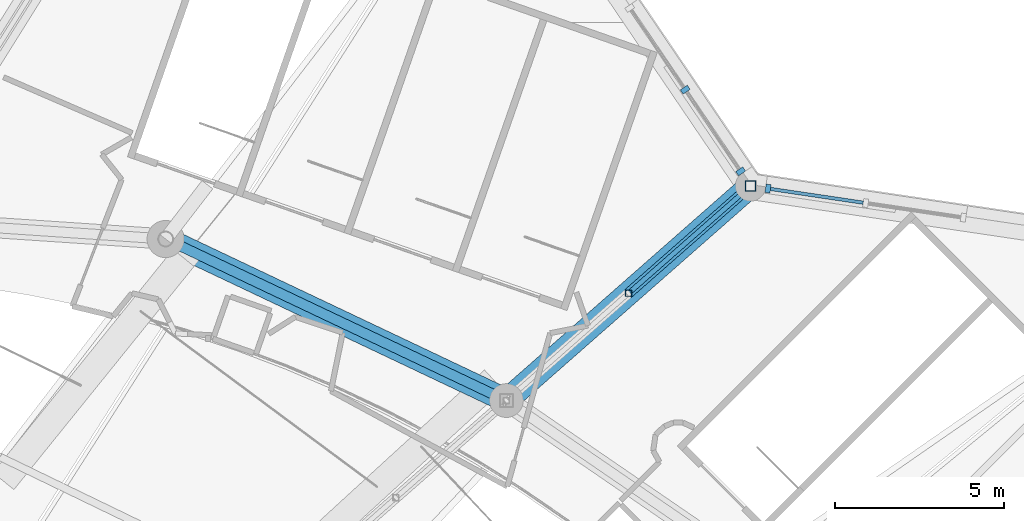
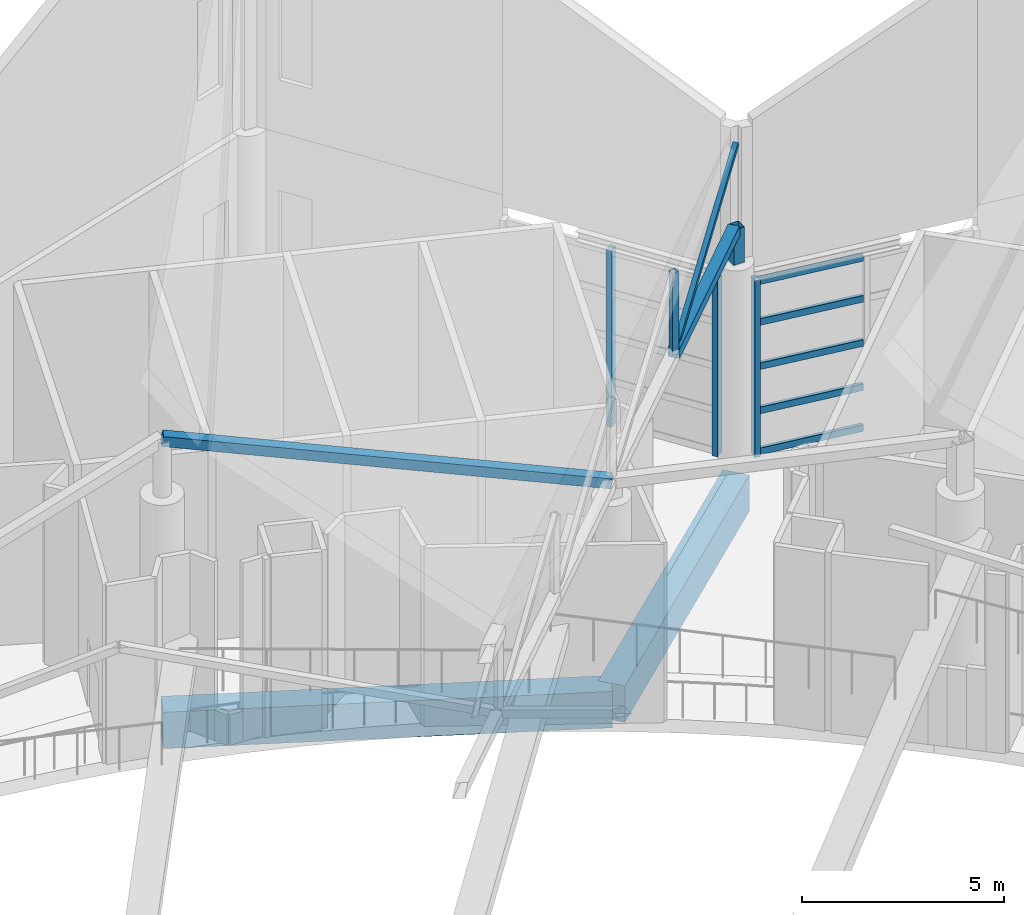
# One storey, part 205 of 344: 13 members, 2 beams, 2 elements without a shape of their own.
"""IFC4 building model written with IfcOpenShell, lengths in metres."""

from ifc_helpers import new_model, si_unit, direction, frame, origin, origin_2d, place, context, subcontext, project, spatial, rectangle, hollow_rectangle, extrude, material, layer, layer_set, material_profile, profile_set, type_object, element, aggregate, save


model = new_model("IFC4")

# Units and contexts
model_context = context("Model", 3, precision=1e-05, world=origin(), true_north=direction((0.0, 1.0)))
body_context = subcontext(model_context, "Body", "Model", "MODEL_VIEW")
ifc_project = project(units=[si_unit("LENGTHUNIT", "METRE"), si_unit("AREAUNIT", "SQUARE_METRE"), si_unit("VOLUMEUNIT", "CUBIC_METRE"), si_unit("PLANEANGLEUNIT", "RADIAN"), si_unit("MASSUNIT", "GRAM", prefix="KILO")], contexts=[model_context])

# Site, building, storey
site_placement = place(None, origin())
site = spatial("IfcSite", under=ifc_project, at=site_placement, CompositionType="ELEMENT")
building_placement = place(site_placement, origin())
building = spatial("IfcBuilding", under=site, at=building_placement, Name="Meseta Stadium", CompositionType="ELEMENT")
storey_placement = place(building_placement, frame((0.0, 0.0, 24.0)))
storey = spatial("IfcBuildingStorey", under=building, at=storey_placement, Name="L04", CompositionType="ELEMENT", Elevation=24.0)

# Curtain wall, member
ifc_material_1 = material(Name="Steel S355", Category="steel")
ifc_layer = layer(ifc_material_1, 0.300048828125)
ifc_layer_set = layer_set([ifc_layer], Name="Valley atrium curtain wall")
curtain_wall_type = type_object("IfcCurtainWallType", Name="Valley atrium curtain wall", PredefinedType="NOTDEFINED", material=ifc_layer_set)
curtain_wall_1_placement = place(storey_placement, origin())
curtain_wall_1 = element("IfcCurtainWall", 1, at=curtain_wall_1_placement, inside=storey, type_object=curtain_wall_type, Name="Valley atrium glazing F12", PredefinedType="NOTDEFINED")
ifc_material_2 = material(Name="Steel S355", Category="steel")
ifc_material_profile_1 = material_profile(ifc_material_2, rectangle(XDim=0.25, YDim=0.14990234375, at=origin_2d()), Name="CW 250x150")
ifc_profile_set_1 = profile_set([ifc_material_profile_1], Name="Steel S355")
member_type_1 = type_object("IfcMemberType", Name="CW mullion bar 250x150", PredefinedType="MULLION", material=ifc_profile_set_1)
member_1_placement = place(storey_placement, frame((72.37548828125, 91.07373046875, 0.0), z_axis=(0.0, 0.0, 1.0), x_axis=(-0.146853770992, -0.989158212798, 0.0)))
member_1 = element("IfcMember", 2, at=member_1_placement, type_object=member_type_1, Name="CWA mullion 3", PredefinedType="MULLION", context=body_context, shape_type="SweptSolid", body=[
    extrude(rectangle(XDim=0.25, YDim=0.14990234375, at=origin_2d()), origin(), (0.0, 0.0, 1.0), 5.35009765625),
])

# Curtain wall, members
curtain_wall_2_placement = place(storey_placement, origin())
curtain_wall_2 = element("IfcCurtainWall", 3, at=curtain_wall_2_placement, inside=storey, type_object=curtain_wall_type, Name="Valley atrium glazing F13", PredefinedType="NOTDEFINED")
member_2_placement = place(storey_placement, frame((71.56201171875, 91.585205078125, 0.0), z_axis=(0.0, 0.0, 1.0), x_axis=(-0.827483291834, -0.561490339842, 0.0)))
member_2 = element("IfcMember", 4, at=member_2_placement, type_object=member_type_1, Name="CWA mullion 1", PredefinedType="MULLION", context=body_context, shape_type="SweptSolid", body=[
    extrude(rectangle(XDim=0.25, YDim=0.14990234375, at=origin_2d()), origin(), (0.0, 0.0, 1.0), 5.35009765625),
])
member_3_placement = place(storey_placement, frame((69.919677734375, 94.00537109375, 0.0), z_axis=(0.0, 0.0, 1.0), x_axis=(-0.827483291834, -0.561490339842, 0.0)))
member_3 = element("IfcMember", 5, at=member_3_placement, type_object=member_type_1, Name="CWA mullion 2", PredefinedType="MULLION", context=body_context, shape_type="SweptSolid", body=[
    extrude(rectangle(XDim=0.25, YDim=0.14990234375, at=origin_2d()), origin(), (0.0, 0.0, 1.0), 5.35009765625),
])
aggregate(curtain_wall_2, [member_2, member_3])

# Member
ifc_material_3 = material(Name="Steel S355", Category="steel")
ifc_material_profile_2 = material_profile(ifc_material_3, hollow_rectangle(XDim=0.10009765625, YDim=0.199951171875, WallThickness=0.008056640625, at=origin_2d()), Name="RHS 200x100x8")
ifc_profile_set_2 = profile_set([ifc_material_profile_2], Name="Steel S355")
member_type_2 = type_object("IfcMemberType", Name="CW transom RHS 200x100x8", PredefinedType="USERDEFINED", material=ifc_profile_set_2)
member_4_placement = place(storey_placement, frame((75.194580078125, 90.6552734375, 0.10009765625), z_axis=(-0.989160433541, 0.146838812024, 0.0), x_axis=(-0.146838812024, -0.989160433541, 0.0)))
member_4 = element("IfcMember", 6, at=member_4_placement, type_object=member_type_2, Name="CWA transom 2.1", ObjectType="TRANSOM", PredefinedType="USERDEFINED", context=body_context, shape_type="SweptSolid", body=[
    extrude(hollow_rectangle(XDim=0.10009765625, YDim=0.199951171875, WallThickness=0.008056640625, at=origin_2d()), origin(), (0.0, 0.0, 1.0), 2.77490234375),
])

member_5_placement = place(storey_placement, frame((75.194580078125, 90.6552734375, 1.33740234375), z_axis=(-0.989160433541, 0.146838812024, 0.0), x_axis=(-0.146838812024, -0.989160433541, 0.0)))
member_5 = element("IfcMember", 7, at=member_5_placement, type_object=member_type_2, Name="CWA transom 2.2", ObjectType="TRANSOM", PredefinedType="USERDEFINED", context=body_context, shape_type="SweptSolid", body=[
    extrude(hollow_rectangle(XDim=0.10009765625, YDim=0.199951171875, WallThickness=0.008056640625, at=origin_2d()), origin(), (0.0, 0.0, 1.0), 2.77490234375),
])

member_6_placement = place(storey_placement, frame((75.194580078125, 90.6552734375, 2.675048828125), z_axis=(-0.989160433541, 0.146838812024, 0.0), x_axis=(-0.146838812024, -0.989160433541, 0.0)))
member_6 = element("IfcMember", 8, at=member_6_placement, type_object=member_type_2, Name="CWA transom 2.3", ObjectType="TRANSOM", PredefinedType="USERDEFINED", context=body_context, shape_type="SweptSolid", body=[
    extrude(hollow_rectangle(XDim=0.10009765625, YDim=0.199951171875, WallThickness=0.008056640625, at=origin_2d()), origin(), (0.0, 0.0, 1.0), 2.77490234375),
])

member_7_placement = place(storey_placement, frame((75.194580078125, 90.6552734375, 4.012451171875), z_axis=(-0.989160433541, 0.146838812024, 0.0), x_axis=(-0.146838812024, -0.989160433541, 0.0)))
member_7 = element("IfcMember", 9, at=member_7_placement, type_object=member_type_2, Name="CWA transom 2.4", ObjectType="TRANSOM", PredefinedType="USERDEFINED", context=body_context, shape_type="SweptSolid", body=[
    extrude(hollow_rectangle(XDim=0.10009765625, YDim=0.199951171875, WallThickness=0.008056640625, at=origin_2d()), origin(), (0.0, 0.0, 1.0), 2.77490234375),
])

member_8_placement = place(storey_placement, frame((75.194580078125, 90.6552734375, 5.25), z_axis=(-0.989160433541, 0.146838812024, 0.0), x_axis=(-0.146838812024, -0.989160433541, 0.0)))
member_8 = element("IfcMember", 10, at=member_8_placement, type_object=member_type_2, Name="CWA transom 2.5", ObjectType="TRANSOM", PredefinedType="USERDEFINED", context=body_context, shape_type="SweptSolid", body=[
    extrude(hollow_rectangle(XDim=0.10009765625, YDim=0.199951171875, WallThickness=0.008056640625, at=origin_2d()), origin(), (0.0, 0.0, 1.0), 2.77490234375),
])

aggregate(curtain_wall_1, [member_1, member_4, member_5, member_6, member_7, member_8])

# Beams
ifc_material_4 = material(Name="Concrete C40/50", Category="concrete")
ifc_material_profile_3 = material_profile(ifc_material_4, rectangle(XDim=0.699951171875, YDim=1.10009765625, at=origin_2d()), Name="RC 700x1100")
ifc_profile_set_3 = profile_set([ifc_material_profile_3], Name="Concrete C40/50")
beam_type = type_object("IfcBeamType", Name="RC beam 700x1100", PredefinedType="BEAM", material=ifc_profile_set_3)
beam_1_placement = place(storey_placement, frame((64.6220703125, 84.79248046875, -0.949951171875), z_axis=(-0.903627495473, 0.428319214402, 0.0), x_axis=(-0.428319214402, -0.903627495473, 0.0)))
element("IfcBeam", 11, at=beam_1_placement, inside=storey, type_object=beam_type, Name="L04 ring beam frame 13 line P", PredefinedType="BEAM", context=body_context, shape_type="SweptSolid", body=[
    extrude(rectangle(XDim=0.699951171875, YDim=1.10009765625, at=origin_2d()), origin(), (0.0, 0.0, 1.0), 11.176025390625),
])
beam_2_placement = place(storey_placement, frame((64.6220703125, 84.79248046875, -0.949951171875), z_axis=(0.751128714449, 0.66015578035, 0.0), x_axis=(-0.66015578035, 0.751128714449, 0.0)))
element("IfcBeam", 12, at=beam_2_placement, inside=storey, type_object=beam_type, Name="L04 radial beam frame 13 line P to R", PredefinedType="BEAM", context=body_context, shape_type="SweptSolid", body=[
    extrude(rectangle(XDim=0.699951171875, YDim=1.10009765625, at=origin_2d()), origin(), (0.0, 0.0, 1.0), 9.631591796875),
])

# Members
ifc_material_5 = material(Name="Steel S355", Category="steel")
ifc_material_profile_4 = material_profile(ifc_material_5, hollow_rectangle(XDim=0.139892578125, YDim=0.139892578125, WallThickness=0.0048828125, at=origin_2d()), Name="SHS 140x140x5")
ifc_profile_set_4 = profile_set([ifc_material_profile_4], Name="Steel S355")
member_type_3 = type_object("IfcMemberType", Name="SHS 140x140x5 diagonal", PredefinedType="BRACE", material=ifc_profile_set_4)
member_9_placement = place(storey_placement, frame((68.239501953125, 87.9716796875, 6.400146484375), z_axis=(0.62800992351, 0.551967145245, 0.548576162937), x_axis=(-0.660168349463, 0.751117667458, 0.0)))
element("IfcMember", 13, at=member_9_placement, inside=storey, type_object=member_type_3, Name="ROOF TRUSS RT-13 diagonal", PredefinedType="BRACE", context=body_context, shape_type="SweptSolid", body=[
    extrude(hollow_rectangle(XDim=0.139892578125, YDim=0.139892578125, WallThickness=0.0048828125, at=origin_2d()), origin(), (0.0, 0.0, 1.0), 5.759765625),
])
ifc_material_6 = material(Name="Steel S355", Category="steel")
ifc_material_profile_5 = material_profile(ifc_material_6, hollow_rectangle(XDim=0.179931640625, YDim=0.179931640625, WallThickness=0.00634765625, at=origin_2d()), Name="SHS 180x180x6.3")
ifc_profile_set_5 = profile_set([ifc_material_profile_5], Name="Steel S355")
member_type_4 = type_object("IfcMemberType", Name="SHS 180x180x6.3 post", PredefinedType="POST", material=ifc_profile_set_5)
member_10_placement = place(storey_placement, frame((68.239501953125, 87.9716796875, 6.400146484375), z_axis=(0.0, 0.0, 1.0), x_axis=(1.0, 0.0, 0.0)))
element("IfcMember", 14, at=member_10_placement, inside=storey, type_object=member_type_4, Name="ROOF TRUSS RT-13 post", PredefinedType="POST", context=body_context, shape_type="SweptSolid", body=[
    extrude(hollow_rectangle(XDim=0.179931640625, YDim=0.179931640625, WallThickness=0.00634765625, at=origin_2d()), origin(), (0.0, 0.0, 1.0), 2.49365234375),
])
ifc_material_7 = material(Name="Steel S355", Category="steel")
ifc_material_profile_6 = material_profile(ifc_material_7, hollow_rectangle(XDim=0.300048828125, YDim=0.300048828125, WallThickness=0.010009765625, at=origin_2d()), Name="SHS 300x300x10")
ifc_profile_set_6 = profile_set([ifc_material_profile_6], Name="Steel S355")
member_type_5 = type_object("IfcMemberType", Name="SHS 300x300x10 bottom chord", PredefinedType="CHORD", material=ifc_profile_set_6)
member_11_placement = place(storey_placement, frame((68.239501953125, 87.9716796875, 6.400146484375), z_axis=(0.744043554402, 0.653933397629, 0.137004746698), x_axis=(-0.660158433584, 0.751126382554, 0.0)))
element("IfcMember", 15, at=member_11_placement, inside=storey, type_object=member_type_5, Name="ROOF TRUSS RT-13 bottom chord", PredefinedType="CHORD", context=body_context, shape_type="SweptSolid", body=[
    extrude(hollow_rectangle(XDim=0.300048828125, YDim=0.300048828125, WallThickness=0.010009765625, at=origin_2d()), origin(), (0.0, 0.0, 1.0), 4.711669921875),
])
ifc_material_8 = material(Name="Steel S355", Category="steel")
ifc_material_profile_7 = material_profile(ifc_material_8, hollow_rectangle(XDim=0.300048828125, YDim=0.300048828125, WallThickness=0.010009765625, at=origin_2d()), Name="SHS 300x300x10")
ifc_profile_set_7 = profile_set([ifc_material_profile_7], Name="Steel S355")
member_type_6 = type_object("IfcMemberType", Name="SHS 300x300x10 pivot strut", PredefinedType="STRUT", material=ifc_profile_set_7)
member_12_placement = place(storey_placement, frame((64.6220703125, 84.79248046875, 5.734130859375), z_axis=(-0.890584836949, 0.422136997415, 0.169289703202), x_axis=(-0.428319214402, -0.903627495473, 0.0)))
element("IfcMember", 16, at=member_12_placement, inside=storey, type_object=member_type_6, Name="ROOF PIVOT STRUT RT-13/14", PredefinedType="STRUT", context=body_context, shape_type="SweptSolid", body=[
    extrude(hollow_rectangle(XDim=0.300048828125, YDim=0.300048828125, WallThickness=0.010009765625, at=origin_2d()), origin(), (0.0, 0.0, 1.0), 11.339599609375),
])
ifc_material_9 = material(Name="Steel S355", Category="steel")
ifc_material_profile_8 = material_profile(ifc_material_9, hollow_rectangle(XDim=0.300048828125, YDim=0.300048828125, WallThickness=0.010009765625, at=origin_2d()), Name="SHS 300x300x10")
ifc_profile_set_8 = profile_set([ifc_material_profile_8], Name="Steel S355")
member_type_7 = type_object("IfcMemberType", Name="SHS 300x300x10 rim post", PredefinedType="POST", material=ifc_profile_set_8)
member_13_placement = place(storey_placement, frame((71.856689453125, 91.15087890625, 6.0), z_axis=(0.0, 0.0, 1.0), x_axis=(1.0, 0.0, 0.0)))
element("IfcMember", 17, at=member_13_placement, inside=storey, type_object=member_type_7, Name="ROOF RIM POST RT-13", PredefinedType="POST", context=body_context, shape_type="SweptSolid", body=[
    extrude(hollow_rectangle(XDim=0.300048828125, YDim=0.300048828125, WallThickness=0.010009765625, at=origin_2d()), origin(), (0.0, 0.0, 1.0), 1.066162109375),
])

save(model, "model.ifc")
